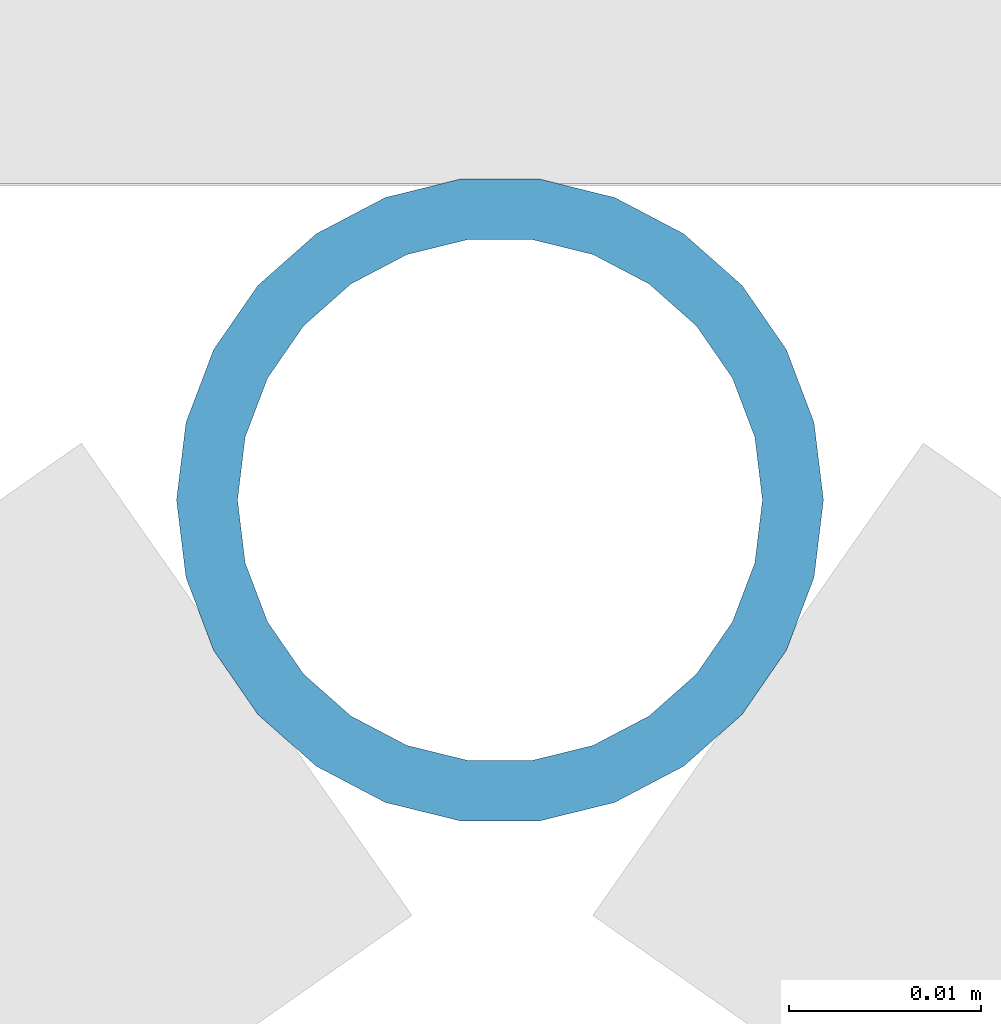
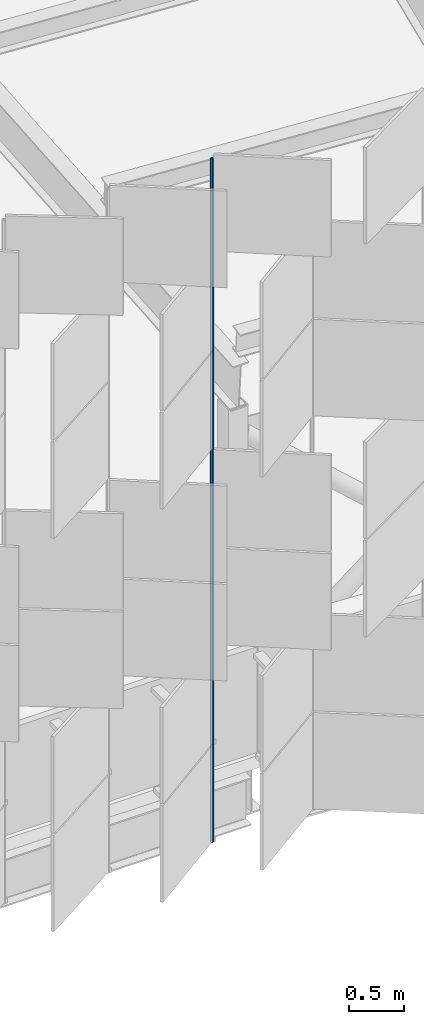
# One storey, part 236 of 483: 1 discrete accessory.
"""IFC4 building model written with IfcOpenShell, lengths in metres."""

from ifc_helpers import new_model, si_unit, direction, frame, origin, origin_2d, place, context, subcontext, project, spatial, hollow_circle, extrude, material, material_profile, profile_set, type_object, element, save


model = new_model("IFC4")

# Units and contexts
model_context = context("Model", 3, precision=1e-05, world=origin(), true_north=direction((0.0, 1.0)))
body_context = subcontext(model_context, "Body", "Model", "MODEL_VIEW")
ifc_project = project(units=[si_unit("LENGTHUNIT", "METRE"), si_unit("AREAUNIT", "SQUARE_METRE"), si_unit("VOLUMEUNIT", "CUBIC_METRE"), si_unit("PLANEANGLEUNIT", "RADIAN"), si_unit("MASSUNIT", "GRAM", prefix="KILO")], contexts=[model_context])

# Site, building, storey
site_placement = place(None, origin())
site = spatial("IfcSite", under=ifc_project, at=site_placement, CompositionType="ELEMENT")
building_placement = place(site_placement, origin())
building = spatial("IfcBuilding", under=site, at=building_placement, Name="Parallax Yard Mobility Hub", CompositionType="ELEMENT")
storey_placement = place(building_placement, frame((0.0, 0.0, 13.199951171875)))
storey = spatial("IfcBuildingStorey", under=building, at=storey_placement, Name="L04", CompositionType="ELEMENT", Elevation=13.199951171875)

# Discrete accessory
ifc_material = material(Name="Steel ASTM A500 Gr C, hot-dip galvanised", Category="steel")
ifc_material_profile = material_profile(ifc_material, hollow_circle(Radius=0.016845703125, WallThickness=0.003173828125, at=origin_2d()), Name="CHS 33.7x3.2")
ifc_profile_set = profile_set([ifc_material_profile], Name="Steel ASTM A500 Gr C, hot-dip galvanised")
discrete_accessory_type = type_object("IfcDiscreteAccessoryType", Name="Hinge post CHS 33.7x3.2", PredefinedType="BRACKET", material=ifc_profile_set)
discrete_accessory_placement = place(storey_placement, frame((171.423583984375, 111.51611328125, 0.0), z_axis=(0.0, 0.0, 1.0), x_axis=(1.0, 0.0, 0.0)))
element("IfcDiscreteAccessory", 1, at=discrete_accessory_placement, inside=storey, type_object=discrete_accessory_type, Name="Hinge post bay 17.7 level L04", PredefinedType="BRACKET", context=body_context, shape_type="SweptSolid", body=[
    extrude(hollow_circle(Radius=0.016845703125, WallThickness=0.003173828125, at=origin_2d()), origin(), (0.0, 0.0, 1.0), 7.650146484375),
])

save(model, "model.ifc")
